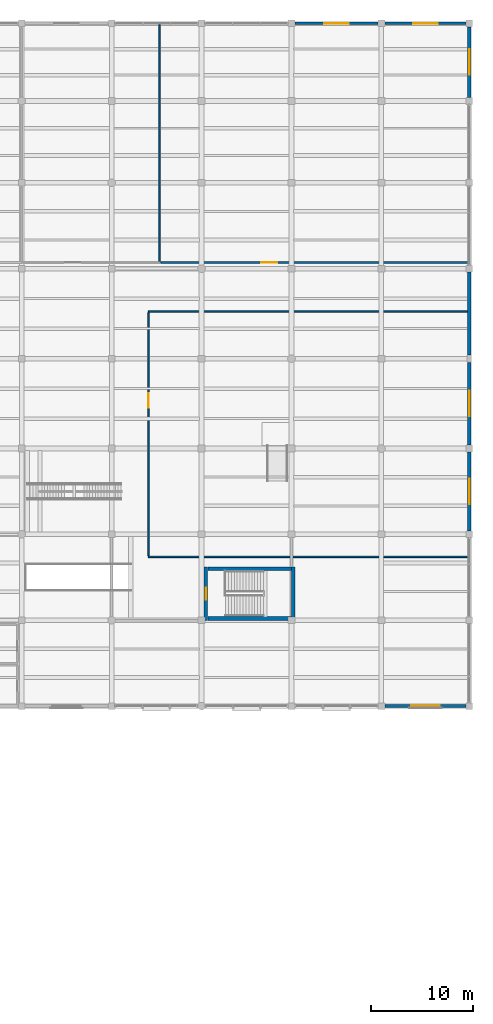
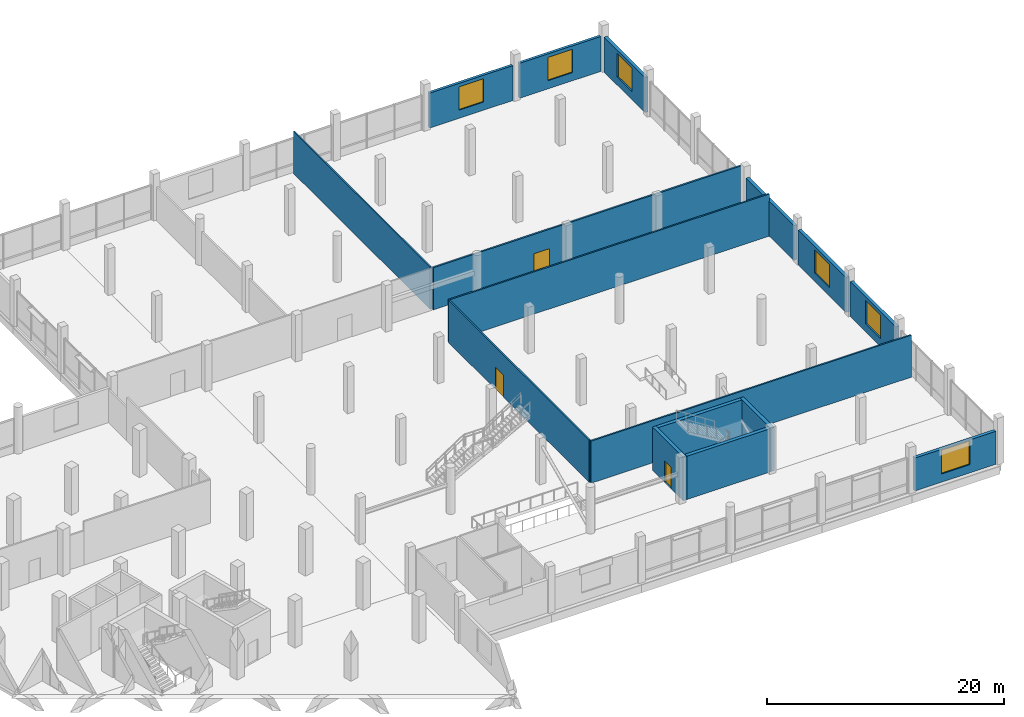
# One storey, part 62 of 71: 16 walls, 6 windows, 3 doors, 9 openings.
"""IFC4 building model written with IfcOpenShell, lengths in metres."""

from ifc_helpers import new_model, si_unit, direction, frame, frame_2d, origin, place, context, subcontext, project, spatial, rectangle, extrude, material, layer, layer_set, type_object, element, fill, save


model = new_model("IFC4")

# Units and contexts
model_context = context("Model", 3, precision=1e-05, world=origin(), true_north=direction((0.0, 1.0)))
body_context = subcontext(model_context, "Body", "Model", "MODEL_VIEW")
ifc_project = project(units=[si_unit("LENGTHUNIT", "METRE"), si_unit("AREAUNIT", "SQUARE_METRE"), si_unit("VOLUMEUNIT", "CUBIC_METRE"), si_unit("PLANEANGLEUNIT", "RADIAN"), si_unit("MASSUNIT", "GRAM", prefix="KILO")], contexts=[model_context])

# Site, building, storey
site_placement = place(None, origin())
site = spatial("IfcSite", under=ifc_project, at=site_placement, CompositionType="ELEMENT")
building_placement = place(site_placement, origin())
building = spatial("IfcBuilding", under=site, at=building_placement, Name="Meriwether Solvik Hall", CompositionType="ELEMENT")
storey_placement = place(building_placement, frame((0.0, 0.0, 5.10009765625)))
storey = spatial("IfcBuildingStorey", under=building, at=storey_placement, Name="L01", CompositionType="ELEMENT", Elevation=5.10009765625)

# Wall, opening, door
ifc_material_1 = material(Name="Double-Layer Acoustic Gypsum Board", Category="gypsum")
ifc_layer_1 = layer(ifc_material_1, 0.1650390625)
ifc_layer_set_1 = layer_set([ifc_layer_1], Name="Double-Layer Acoustic Gypsum Board")
wall_type_1 = type_object("IfcWallType", Name="WALL-DEM-165", PredefinedType="PARTITIONING", material=ifc_layer_set_1)
wall_1_placement = place(storey_placement, frame((136.6201171875, 93.39990234375, 0.0), z_axis=(0.0, 0.0, 1.0), x_axis=(1.0, 0.0, 0.0)))
wall_1 = element("IfcWall", 1, at=wall_1_placement, inside=storey, type_object=wall_type_1, Name="L01 Interior Partition maker_lab_s", PredefinedType="PARTITIONING", context=body_context, shape_type="SweptSolid", body=[
    extrude(rectangle(XDim=30.02978515625, YDim=0.1650390625, at=frame_2d((15.014892578125, 0.0))), origin(), (0.0, 0.0, 1.0), 4.349853515625),
])
opening_1_placement = place(wall_1_placement, frame((9.81494140625, 0.0, 0.0)))
opening_1 = element("IfcOpeningElement", 2, at=opening_1_placement, cuts=wall_1, Name="Opening D-169", PredefinedType="OPENING", context=body_context, shape_type="SweptSolid", body=[
    extrude(rectangle(XDim=1.550048828125, YDim=2.35009765625, at=frame_2d((0.77490234375, 1.175048828125))), frame((0.0, 0.094482421875, 0.0), z_axis=(0.0, -1.0, 0.0), x_axis=(1.0, 0.0, 0.0)), (0.0, 0.0, 1.0), 0.18896484375),
])
ifc_material_2 = material(Name="Laminated Vision Glass and Solid White Oak Timber", Category="wood")
door_type_1 = type_object("IfcDoorType", Name="DR-MKR-1550", OperationType="DOUBLE_DOOR_SINGLE_SWING", PredefinedType="DOOR", material=ifc_material_2)
door_1_placement = place(opening_1_placement, origin())
door_1 = element("IfcDoor", 3, at=door_1_placement, inside=storey, type_object=door_type_1, Name="Digital Maker and Robotics Lab Door", OperationType="DOUBLE_DOOR_SINGLE_SWING", OverallHeight=2.35009765625, OverallWidth=1.550048828125, PredefinedType="DOOR", context=body_context, shape_type="SweptSolid", body=[
    extrude(rectangle(XDim=1.550048828125, YDim=2.35009765625, at=frame_2d((0.77490234375, 1.175048828125))), frame((0.0, 0.02490234375, 0.0), z_axis=(0.0, -1.0, 0.0), x_axis=(1.0, 0.0, 0.0)), (0.0, 0.0, 1.0), 0.050048828125),
])
fill(opening_1, door_1)

# Wall, opening, window
ifc_material_3 = material(Name="Terracotta Cladding on Concrete C40/50", Category="masonry")
ifc_layer_2 = layer(ifc_material_3, 0.2548828125)
ifc_layer_set_2 = layer_set([ifc_layer_2], Name="Terracotta Cladding on Concrete C40/50")
wall_type_2 = type_object("IfcWallType", Name="WALL-EXT-255", PredefinedType="SOLIDWALL", material=ifc_layer_set_2)
wall_2_placement = place(storey_placement, frame((149.737060546875, 116.800048828125, 0.0), z_axis=(0.0, 0.0, 1.0), x_axis=(1.0, 0.0, 0.0)))
wall_2 = element("IfcWall", 4, at=wall_2_placement, inside=storey, type_object=wall_type_2, Name="L01 N Wing Facade Wall XN_17_34", PredefinedType="SOLIDWALL", context=body_context, shape_type="SweptSolid", body=[
    extrude(rectangle(XDim=8.1259765625, YDim=0.2548828125, at=frame_2d((4.06298828125, 0.0))), origin(), (0.0, 0.0, 1.0), 3.60986328125),
])
opening_2_placement = place(wall_2_placement, frame((2.863037109375, 0.0, 0.85009765625)))
opening_2 = element("IfcOpeningElement", 5, at=opening_2_placement, cuts=wall_2, Name="Opening WN-105", PredefinedType="OPENING", context=body_context, shape_type="SweptSolid", body=[
    extrude(rectangle(XDim=2.39990234375, YDim=2.39990234375, at=frame_2d((1.199951171875, 1.199951171875))), frame((0.0, 0.139404296875, 0.0), z_axis=(0.0, -1.0, 0.0), x_axis=(1.0, 0.0, 0.0)), (0.0, 0.0, 1.0), 0.27880859375),
])
ifc_material_4 = material(Name="Thermally Broken Anodised Aluminium and Triple Low-E Glass", Category="aluminium")
window_type_1 = type_object("IfcWindowType", Name="WIN-POD-NORTH-240X240", PartitioningType="SINGLE_PANEL", PredefinedType="WINDOW", material=ifc_material_4)
window_1_placement = place(opening_2_placement, origin())
window_1 = element("IfcWindow", 6, at=window_1_placement, inside=storey, type_object=window_type_1, Name="L01 N Window XN_17_34", OverallHeight=2.39990234375, OverallWidth=2.39990234375, PartitioningType="SINGLE_PANEL", PredefinedType="WINDOW", context=body_context, shape_type="SweptSolid", body=[
    extrude(rectangle(XDim=2.39990234375, YDim=2.39990234375, at=frame_2d((1.199951171875, 1.199951171875))), frame((0.0, 0.030029296875, 0.0), z_axis=(0.0, -1.0, 0.0), x_axis=(1.0, 0.0, 0.0)), (0.0, 0.0, 1.0), 0.06005859375),
])
fill(opening_2, window_1)

wall_3_placement = place(storey_placement, frame((158.537109375, 116.800048828125, 0.0), z_axis=(0.0, 0.0, 1.0), x_axis=(1.0, 0.0, 0.0)))
wall_3 = element("IfcWall", 7, at=wall_3_placement, inside=storey, type_object=wall_type_2, Name="L01 N Wing Facade Wall XN_18_35", PredefinedType="SOLIDWALL", context=body_context, shape_type="SweptSolid", body=[
    extrude(rectangle(XDim=7.92578125, YDim=0.2548828125, at=frame_2d((3.962890625, 0.0))), origin(), (0.0, 0.0, 1.0), 3.60986328125),
])
opening_3_placement = place(wall_3_placement, frame((2.762939453125, 0.0, 0.85009765625)))
opening_3 = element("IfcOpeningElement", 8, at=opening_3_placement, cuts=wall_3, Name="Opening WN-105", PredefinedType="OPENING", context=body_context, shape_type="SweptSolid", body=[
    extrude(rectangle(XDim=2.39990234375, YDim=2.39990234375, at=frame_2d((1.199951171875, 1.199951171875))), frame((0.0, 0.139404296875, 0.0), z_axis=(0.0, -1.0, 0.0), x_axis=(1.0, 0.0, 0.0)), (0.0, 0.0, 1.0), 0.27880859375),
])
window_2_placement = place(opening_3_placement, origin())
window_2 = element("IfcWindow", 9, at=window_2_placement, inside=storey, type_object=window_type_1, Name="L01 N Window XN_18_35", OverallHeight=2.39990234375, OverallWidth=2.39990234375, PartitioningType="SINGLE_PANEL", PredefinedType="WINDOW", context=body_context, shape_type="SweptSolid", body=[
    extrude(rectangle(XDim=2.39990234375, YDim=2.39990234375, at=frame_2d((1.199951171875, 1.199951171875))), frame((0.0, 0.030029296875, 0.0), z_axis=(0.0, -1.0, 0.0), x_axis=(1.0, 0.0, 0.0)), (0.0, 0.0, 1.0), 0.06005859375),
])
fill(opening_3, window_2)

ifc_material_5 = material(Name="Concrete C40/50 Precast", Category="concrete")
ifc_layer_3 = layer(ifc_material_5, 0.31494140625)
ifc_layer_set_3 = layer_set([ifc_layer_3], Name="Concrete C40/50 Precast")
wall_type_3 = type_object("IfcWallType", Name="WALL-EXT-315", PredefinedType="SOLIDWALL", material=ifc_layer_set_3)
wall_4_placement = place(storey_placement, frame((166.462890625, 50.0, 0.0), z_axis=(0.0, 0.0, 1.0), x_axis=(-1.0, 0.0, 0.0)))
wall_4 = element("IfcWall", 10, at=wall_4_placement, inside=storey, type_object=wall_type_3, Name="L01 S Wing Facade Wall XF_18_17", PredefinedType="SOLIDWALL", context=body_context, shape_type="SweptSolid", body=[
    extrude(rectangle(XDim=7.92578125, YDim=0.31494140625, at=frame_2d((3.962890625, 0.0))), origin(), (0.0, 0.0, 1.0), 3.39990234375),
])
opening_4_placement = place(wall_4_placement, frame((2.56298828125, 0.0, 0.85009765625)))
opening_4 = element("IfcOpeningElement", 11, at=opening_4_placement, cuts=wall_4, Name="Opening WN-165", PredefinedType="OPENING", context=body_context, shape_type="SweptSolid", body=[
    extrude(rectangle(XDim=2.800048828125, YDim=2.449951171875, at=frame_2d((1.39990234375, 1.22509765625))), frame((0.0, 0.16943359375, 0.0), z_axis=(0.0, -1.0, 0.0), x_axis=(1.0, 0.0, 0.0)), (0.0, 0.0, 1.0), 0.3388671875),
])
ifc_material_6 = material(Name="Thermally Broken Anodised Aluminium and Triple Low-E Glass", Category="aluminium")
window_type_2 = type_object("IfcWindowType", Name="WIN-POD-SOUTH-280X245", PartitioningType="SINGLE_PANEL", PredefinedType="WINDOW", material=ifc_material_6)
window_3_placement = place(opening_4_placement, origin())
window_3 = element("IfcWindow", 12, at=window_3_placement, inside=storey, type_object=window_type_2, Name="L01 S Window XF_18_17", OverallHeight=2.449951171875, OverallWidth=2.800048828125, PartitioningType="SINGLE_PANEL", PredefinedType="WINDOW", context=body_context, shape_type="SweptSolid", body=[
    extrude(rectangle(XDim=2.800048828125, YDim=2.449951171875, at=frame_2d((1.39990234375, 1.22509765625))), frame((0.0, 0.030029296875, 0.0), z_axis=(0.0, -1.0, 0.0), x_axis=(1.0, 0.0, 0.0)), (0.0, 0.0, 1.0), 0.06005859375),
])
fill(opening_4, window_3)

wall_5_placement = place(storey_placement, frame((166.800048828125, 74.863037109375, 0.0), z_axis=(0.0, 0.0, 1.0), x_axis=(0.0, -1.0, 0.0)))
wall_5 = element("IfcWall", 13, at=wall_5_placement, inside=storey, type_object=wall_type_3, Name="L01 E Wing Facade Wall Y19_8_56", PredefinedType="SOLIDWALL", context=body_context, shape_type="SweptSolid", body=[
    extrude(rectangle(XDim=7.72607421875, YDim=0.31494140625, at=frame_2d((3.863037109375, 0.0))), origin(), (0.0, 0.0, 1.0), 3.60986328125),
])
opening_5_placement = place(wall_5_placement, frame((2.613037109375, 0.0, 0.85009765625)))
opening_5 = element("IfcOpeningElement", 14, at=opening_5_placement, cuts=wall_5, Name="Opening WN-144", PredefinedType="OPENING", context=body_context, shape_type="SweptSolid", body=[
    extrude(rectangle(XDim=2.5, YDim=2.39990234375, at=frame_2d((1.25, 1.199951171875))), frame((0.0, 0.16943359375, 0.0), z_axis=(0.0, -1.0, 0.0), x_axis=(1.0, 0.0, 0.0)), (0.0, 0.0, 1.0), 0.3388671875),
])
ifc_material_7 = material(Name="Thermally Broken Anodised Aluminium and Triple Low-E Glass", Category="aluminium")
window_type_3 = type_object("IfcWindowType", Name="WIN-POD-EAST-250X240", PartitioningType="SINGLE_PANEL", PredefinedType="WINDOW", material=ifc_material_7)
window_4_placement = place(opening_5_placement, origin())
window_4 = element("IfcWindow", 15, at=window_4_placement, inside=storey, type_object=window_type_3, Name="L01 E Window Y19_8_56", OverallHeight=2.39990234375, OverallWidth=2.5, PartitioningType="SINGLE_PANEL", PredefinedType="WINDOW", context=body_context, shape_type="SweptSolid", body=[
    extrude(rectangle(XDim=2.5, YDim=2.39990234375, at=frame_2d((1.25, 1.199951171875))), frame((0.0, 0.030029296875, 0.0), z_axis=(0.0, -1.0, 0.0), x_axis=(1.0, 0.0, 0.0)), (0.0, 0.0, 1.0), 0.06005859375),
])
fill(opening_5, window_4)

wall_6_placement = place(storey_placement, frame((166.800048828125, 83.637939453125, 0.0), z_axis=(0.0, 0.0, 1.0), x_axis=(0.0, -1.0, 0.0)))
wall_6 = element("IfcWall", 16, at=wall_6_placement, inside=storey, type_object=wall_type_3, Name="L01 E Wing Facade Wall Y19_9_57", PredefinedType="SOLIDWALL", context=body_context, shape_type="SweptSolid", body=[
    extrude(rectangle(XDim=8.100830078125, YDim=0.31494140625, at=frame_2d((4.05029296875, 0.0))), origin(), (0.0, 0.0, 1.0), 3.60986328125),
])
opening_6_placement = place(wall_6_placement, frame((2.800537109375, 0.0, 0.85009765625)))
opening_6 = element("IfcOpeningElement", 17, at=opening_6_placement, cuts=wall_6, Name="Opening WN-144", PredefinedType="OPENING", context=body_context, shape_type="SweptSolid", body=[
    extrude(rectangle(XDim=2.5, YDim=2.39990234375, at=frame_2d((1.25, 1.199951171875))), frame((0.0, 0.16943359375, 0.0), z_axis=(0.0, -1.0, 0.0), x_axis=(1.0, 0.0, 0.0)), (0.0, 0.0, 1.0), 0.3388671875),
])
window_5_placement = place(opening_6_placement, origin())
window_5 = element("IfcWindow", 18, at=window_5_placement, inside=storey, type_object=window_type_3, Name="L01 E Window Y19_9_57", OverallHeight=2.39990234375, OverallWidth=2.5, PartitioningType="SINGLE_PANEL", PredefinedType="WINDOW", context=body_context, shape_type="SweptSolid", body=[
    extrude(rectangle(XDim=2.5, YDim=2.39990234375, at=frame_2d((1.25, 1.199951171875))), frame((0.0, 0.030029296875, 0.0), z_axis=(0.0, -1.0, 0.0), x_axis=(1.0, 0.0, 0.0)), (0.0, 0.0, 1.0), 0.06005859375),
])
fill(opening_6, window_5)

# Wall
wall_7_placement = place(storey_placement, frame((166.800048828125, 92.462890625, 0.0), z_axis=(0.0, 0.0, 1.0), x_axis=(0.0, -1.0, 0.0)))
element("IfcWall", 19, at=wall_7_placement, inside=storey, type_object=wall_type_3, Name="L01 E Wing Facade Wall Y19_10_58", PredefinedType="SOLIDWALL", context=body_context, shape_type="SweptSolid", body=[
    extrude(rectangle(XDim=8.100830078125, YDim=0.31494140625, at=frame_2d((4.05029296875, 0.0))), origin(), (0.0, 0.0, 1.0), 3.60986328125),
])

# Wall, opening, window
wall_8_placement = place(storey_placement, frame((166.800048828125, 116.462890625, 0.0), z_axis=(0.0, 0.0, 1.0), x_axis=(0.0, -1.0, 0.0)))
wall_8 = element("IfcWall", 20, at=wall_8_placement, inside=storey, type_object=wall_type_3, Name="L01 E Wing Facade Wall Y19_13_61", PredefinedType="SOLIDWALL", context=body_context, shape_type="SweptSolid", body=[
    extrude(rectangle(XDim=6.92578125, YDim=0.31494140625, at=frame_2d((3.462890625, 0.0))), origin(), (0.0, 0.0, 1.0), 3.60986328125),
])
opening_7_placement = place(wall_8_placement, frame((2.212890625, 0.0, 0.85009765625)))
opening_7 = element("IfcOpeningElement", 21, at=opening_7_placement, cuts=wall_8, Name="Opening WN-144", PredefinedType="OPENING", context=body_context, shape_type="SweptSolid", body=[
    extrude(rectangle(XDim=2.5, YDim=2.39990234375, at=frame_2d((1.25, 1.199951171875))), frame((0.0, 0.16943359375, 0.0), z_axis=(0.0, -1.0, 0.0), x_axis=(1.0, 0.0, 0.0)), (0.0, 0.0, 1.0), 0.3388671875),
])
window_6_placement = place(opening_7_placement, origin())
window_6 = element("IfcWindow", 22, at=window_6_placement, inside=storey, type_object=window_type_3, Name="L01 E Window Y19_13_61", OverallHeight=2.39990234375, OverallWidth=2.5, PartitioningType="SINGLE_PANEL", PredefinedType="WINDOW", context=body_context, shape_type="SweptSolid", body=[
    extrude(rectangle(XDim=2.5, YDim=2.39990234375, at=frame_2d((1.25, 1.199951171875))), frame((0.0, 0.030029296875, 0.0), z_axis=(0.0, -1.0, 0.0), x_axis=(1.0, 0.0, 0.0)), (0.0, 0.0, 1.0), 0.06005859375),
])
fill(opening_7, window_6)

# Walls
ifc_material_8 = material(Name="Gypsum Board Partition", Category="gypsum")
ifc_layer_4 = layer(ifc_material_8, 0.125)
ifc_layer_set_4 = layer_set([ifc_layer_4], Name="Gypsum Board Partition")
wall_type_4 = type_object("IfcWallType", Name="WALL-PART-125", PredefinedType="PARTITIONING", material=ifc_layer_set_4)
wall_9_placement = place(storey_placement, frame((136.5, 93.52001953125, 0.0), z_axis=(0.0, 0.0, 1.0), x_axis=(0.0, 1.0, 0.0)))
element("IfcWall", 23, at=wall_9_placement, inside=storey, type_object=wall_type_4, Name="L01 Interior Partition yth_ment_e", PredefinedType="PARTITIONING", context=body_context, shape_type="SweptSolid", body=[
    extrude(rectangle(XDim=23.1298828125, YDim=0.125, at=frame_2d((11.56494140625, 0.0))), origin(), (0.0, 0.0, 1.0), 4.349853515625),
])
ifc_material_9 = material(Name="Gypsum Board Partition", Category="gypsum")
ifc_layer_5 = layer(ifc_material_9, 0.14990234375)
ifc_layer_set_5 = layer_set([ifc_layer_5], Name="Gypsum Board Partition")
wall_type_5 = type_object("IfcWallType", Name="WALL-PART-150", PredefinedType="PARTITIONING", material=ifc_layer_set_5)
for number, where, z_axis, x_axis, name in (
    (24, (135.39990234375, 64.60009765625, 0.0), (0.0, 0.0, 1.0), (1.0, 0.0, 0.0), "L01 Interior Partition yth_act_s"),
    (25, (166.64990234375, 88.60009765625, 0.0), (0.0, 0.0, 1.0), (-1.0, 0.0, 0.0), "L01 Interior Partition yth_act_n"),
):
    element("IfcWall", number, at=place(storey_placement, frame(where, z_axis=z_axis, x_axis=x_axis)), inside=storey, type_object=wall_type_5, Name=name, PredefinedType="PARTITIONING", context=body_context, shape_type="SweptSolid", body=[
        extrude(rectangle(XDim=31.25, YDim=0.14990234375, at=frame_2d((15.625, 0.0))), origin(), (0.0, 0.0, 1.0), 4.349853515625),
    ])

# Wall, opening, door
wall_10_placement = place(storey_placement, frame((135.39990234375, 88.47998046875, 0.0), z_axis=(0.0, 0.0, 1.0), x_axis=(0.0, -1.0, 0.0)))
wall_10 = element("IfcWall", 26, at=wall_10_placement, inside=storey, type_object=wall_type_5, Name="L01 Interior Partition yth_act_w", PredefinedType="PARTITIONING", context=body_context, shape_type="SweptSolid", body=[
    extrude(rectangle(XDim=23.760009765625, YDim=0.14990234375, at=frame_2d((11.8798828125, 0.0))), origin(), (0.0, 0.0, 1.0), 4.349853515625),
])
opening_8_placement = place(wall_10_placement, frame((7.88916015625, 0.0, 0.0)))
opening_8 = element("IfcOpeningElement", 27, at=opening_8_placement, cuts=wall_10, Name="Opening D-118", PredefinedType="OPENING", context=body_context, shape_type="SweptSolid", body=[
    extrude(rectangle(XDim=1.39990234375, YDim=2.300048828125, at=frame_2d((0.699951171875, 1.14990234375))), frame((0.0, 0.0869140625, 0.0), z_axis=(0.0, -1.0, 0.0), x_axis=(1.0, 0.0, 0.0)), (0.0, 0.0, 1.0), 0.173828125),
])
ifc_material_10 = material(Name="Solid-Core Rift White Oak Timber", Category="wood")
door_type_2 = type_object("IfcDoorType", Name="DR-YTH-1400", OperationType="DOUBLE_DOOR_SINGLE_SWING", PredefinedType="DOOR", material=ifc_material_10)
door_2_placement = place(opening_8_placement, origin())
door_2 = element("IfcDoor", 28, at=door_2_placement, inside=storey, type_object=door_type_2, Name="Youth Activity Studio Door", OperationType="DOUBLE_DOOR_SINGLE_SWING", OverallHeight=2.300048828125, OverallWidth=1.39990234375, PredefinedType="DOOR", context=body_context, shape_type="SweptSolid", body=[
    extrude(rectangle(XDim=1.39990234375, YDim=2.300048828125, at=frame_2d((0.699951171875, 1.14990234375))), frame((0.0, 0.02490234375, 0.0), z_axis=(0.0, -1.0, 0.0), x_axis=(1.0, 0.0, 0.0)), (0.0, 0.0, 1.0), 0.050048828125),
])
fill(opening_8, door_2)

ifc_material_11 = material(Name="Concrete C40/50", Category="concrete")
ifc_layer_6 = layer(ifc_material_11, 0.35009765625)
ifc_layer_set_6 = layer_set([ifc_layer_6], Name="Concrete C40/50")
wall_type_6 = type_object("IfcWallType", Name="WALL-RC-350", PredefinedType="SHEAR", material=ifc_layer_set_6)
wall_11_placement = place(storey_placement, frame((141.02490234375, 63.60009765625, 0.0), z_axis=(0.0, 0.0, 1.0), x_axis=(0.0, -1.0, 0.0)))
wall_11 = element("IfcWall", 29, at=wall_11_placement, inside=storey, type_object=wall_type_6, Name="CORE-5 Shear Wall W (L01)", PredefinedType="SHEAR", context=body_context, shape_type="SweptSolid", body=[
    extrude(rectangle(XDim=5.2001953125, YDim=0.35009765625, at=frame_2d((2.60009765625, 0.0))), origin(), (0.0, 0.0, 1.0), 4.469970703125),
])
opening_9_placement = place(wall_11_placement, frame((2.02490234375, 0.0, 0.0)))
opening_9 = element("IfcOpeningElement", 30, at=opening_9_placement, cuts=wall_11, Name="Opening D-148", PredefinedType="OPENING", context=body_context, shape_type="SweptSolid", body=[
    extrude(rectangle(XDim=1.14990234375, YDim=2.199951171875, at=frame_2d((0.574951171875, 1.10009765625))), frame((0.0, 0.18701171875, 0.0), z_axis=(0.0, -1.0, 0.0), x_axis=(1.0, 0.0, 0.0)), (0.0, 0.0, 1.0), 0.3740234375),
])
ifc_material_12 = material(Name="Steel A36 Galvanised", Category="steel")
door_type_3 = type_object("IfcDoorType", Name="DR-FD90-1150R", OperationType="SINGLE_SWING_RIGHT", PredefinedType="DOOR", material=ifc_material_12)
door_3_placement = place(opening_9_placement, origin())
door_3 = element("IfcDoor", 31, at=door_3_placement, inside=storey, type_object=door_type_3, Name="Stair ST-05 Smokeproof Exit Door (L01)", OperationType="SINGLE_SWING_RIGHT", OverallHeight=2.199951171875, OverallWidth=1.14990234375, PredefinedType="DOOR", context=body_context, shape_type="SweptSolid", body=[
    extrude(rectangle(XDim=1.14990234375, YDim=2.199951171875, at=frame_2d((0.574951171875, 1.10009765625))), frame((0.0, 0.02490234375, 0.0), z_axis=(0.0, -1.0, 0.0), x_axis=(1.0, 0.0, 0.0)), (0.0, 0.0, 1.0), 0.050048828125),
])
fill(opening_9, door_3)

# Walls
wall_12_placement = place(storey_placement, frame((149.574951171875, 58.39990234375, 0.0), z_axis=(0.0, 0.0, 1.0), x_axis=(0.0, 1.0, 0.0)))
element("IfcWall", 32, at=wall_12_placement, inside=storey, type_object=wall_type_6, Name="CORE-5 Shear Wall E (L01)", PredefinedType="SHEAR", context=body_context, shape_type="SweptSolid", body=[
    extrude(rectangle(XDim=5.2001953125, YDim=0.35009765625, at=frame_2d((2.60009765625, 0.0))), origin(), (0.0, 0.0, 1.0), 4.469970703125),
])
for number, where, z_axis, x_axis, name in (
    (33, (141.2099609375, 58.574951171875, 0.0), (0.0, 0.0, 1.0), (1.0, 0.0, 0.0), "CORE-5 Shear Wall S (L01)"),
    (34, (149.389892578125, 63.425048828125, 0.0), (0.0, 0.0, 1.0), (-1.0, 0.0, 0.0), "CORE-5 Shear Wall N (L01)"),
):
    element("IfcWall", number, at=place(storey_placement, frame(where, z_axis=z_axis, x_axis=x_axis)), inside=storey, type_object=wall_type_6, Name=name, PredefinedType="SHEAR", context=body_context, shape_type="SweptSolid", body=[
        extrude(rectangle(XDim=8.179931640625, YDim=0.35009765625, at=frame_2d((4.08984375, 0.0))), origin(), (0.0, 0.0, 1.0), 4.469970703125),
    ])

save(model, "model.ifc")
